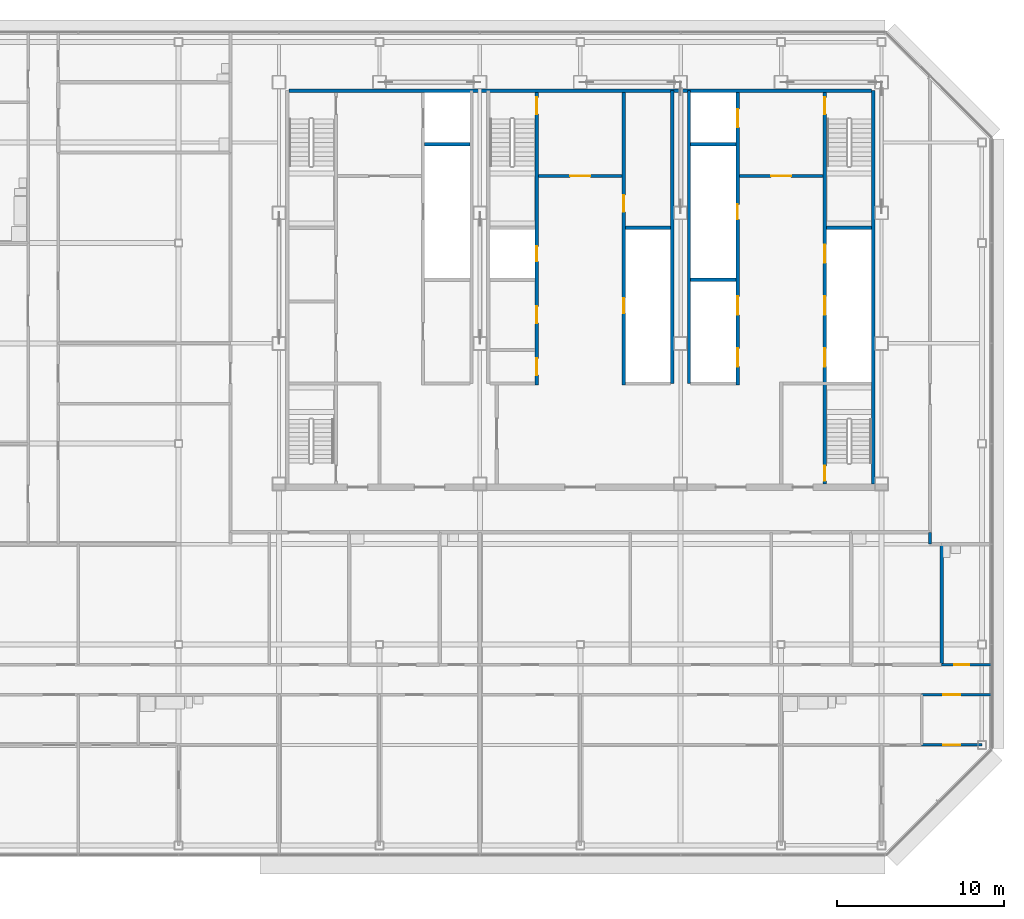
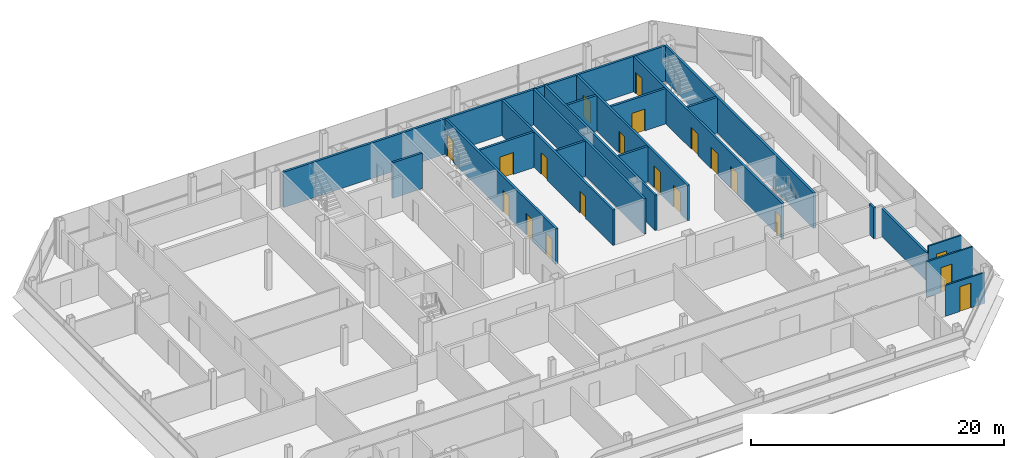
# One storey, part 24 of 27: 20 doors, 20 walls, 20 openings.
"""IFC4 building model written with IfcOpenShell, lengths in metres."""

from ifc_helpers import new_model, si_unit, direction, frame, frame_2d, origin, place, context, subcontext, project, spatial, rectangle, extrude, material, layer, layer_set, type_object, element, fill, save


model = new_model("IFC4")

# Units and contexts
model_context = context("Model", 3, precision=1e-05, world=origin(), true_north=direction((0.0, 1.0)))
body_context = subcontext(model_context, "Body", "Model", "MODEL_VIEW")
ifc_project = project(units=[si_unit("LENGTHUNIT", "METRE"), si_unit("AREAUNIT", "SQUARE_METRE"), si_unit("VOLUMEUNIT", "CUBIC_METRE"), si_unit("PLANEANGLEUNIT", "RADIAN"), si_unit("MASSUNIT", "GRAM", prefix="KILO")], contexts=[model_context])

# Site, building, storey
site_placement = place(None, origin())
site = spatial("IfcSite", under=ifc_project, at=site_placement, CompositionType="ELEMENT")
building_placement = place(site_placement, origin())
building = spatial("IfcBuilding", under=site, at=building_placement, Name="Sorahane Residences", CompositionType="ELEMENT")
storey_placement = place(building_placement, frame((0.0, 0.0, 316.0)))
storey = spatial("IfcBuildingStorey", under=building, at=storey_placement, Name="L75", CompositionType="ELEMENT", Elevation=316.0)

# Walls
ifc_material_1 = material(Name="Concrete C30", Category="concrete")
ifc_layer_1 = layer(ifc_material_1, 0.199951171875)
ifc_layer_set_1 = layer_set([ifc_layer_1], Name="Core face wall 200 EI 180")
wall_type_1 = type_object("IfcWallType", Name="Core face wall 200 EI 180", PredefinedType="SOLIDWALL", material=ifc_layer_set_1)
wall_1_placement = place(storey_placement, frame((41.5, 21.60009765625, 0.0), z_axis=(0.0, 0.0, 1.0), x_axis=(0.0, 1.0, 0.0)))
element("IfcWall", 1, at=wall_1_placement, inside=storey, type_object=wall_type_1, Name="L75 core face wall", PredefinedType="SOLIDWALL", context=body_context, shape_type="SweptSolid", body=[
    extrude(rectangle(XDim=23.5, YDim=0.199951171875, at=frame_2d((11.75, 0.0))), origin(), (0.0, 0.0, 1.0), 3.419921875),
])
wall_2_placement = place(storey_placement, frame((6.60009765625, 45.10009765625, 0.0), z_axis=(0.0, 0.0, 1.0), x_axis=(1.0, 0.0, 0.0)))
element("IfcWall", 2, at=wall_2_placement, inside=storey, type_object=wall_type_1, Name="L75 core face wall", PredefinedType="SOLIDWALL", context=body_context, shape_type="SweptSolid", body=[
    extrude(rectangle(XDim=34.7998046875, YDim=0.199951171875, at=frame_2d((17.39990234375, 0.0))), origin(), (0.0, 0.0, 1.0), 3.419921875),
])
for number, where, z_axis, x_axis, name in (
    (3, (29.5, 27.60009765625, 0.0), (0.0, 0.0, 1.0), (0.0, 1.0, 0.0), "L75 core face wall"),
    (4, (30.5, 27.60009765625, 0.0), (0.0, 0.0, 1.0), (0.0, 1.0, 0.0), "L75 core face wall"),
):
    element("IfcWall", number, at=place(storey_placement, frame(where, z_axis=z_axis, x_axis=x_axis)), inside=storey, type_object=wall_type_1, Name=name, PredefinedType="SOLIDWALL", context=body_context, shape_type="SweptSolid", body=[
        extrude(rectangle(XDim=17.5, YDim=0.199951171875, at=frame_2d((8.75, 0.0))), origin(), (0.0, 0.0, 1.0), 3.419921875),
    ])

# Wall, opening, door
ifc_material_2 = material(Name="Concrete C30", Category="concrete")
ifc_layer_2 = layer(ifc_material_2, 0.199951171875)
ifc_layer_set_2 = layer_set([ifc_layer_2], Name="Front room wall 200 EI 120")
wall_type_2 = type_object("IfcWallType", Name="Front room wall 200 EI 120", PredefinedType="PARTITIONING", material=ifc_layer_set_2)
wall_3_placement = place(storey_placement, frame((21.5, 40.0, 0.0), z_axis=(0.0, 0.0, 1.0), x_axis=(1.0, 0.0, 0.0)))
wall_3 = element("IfcWall", 5, at=wall_3_placement, inside=storey, type_object=wall_type_2, Name="L75 front room wall", PredefinedType="PARTITIONING", context=body_context, shape_type="SweptSolid", body=[
    extrude(rectangle(XDim=5.0, YDim=0.199951171875, at=frame_2d((2.5, 0.0))), origin(), (0.0, 0.0, 1.0), 3.419921875),
])
opening_1_placement = place(wall_3_placement, frame((1.89990234375, 0.0, 0.0)))
opening_1 = element("IfcOpeningElement", 6, at=opening_1_placement, cuts=wall_3, Name="Opening L75-C08", PredefinedType="OPENING", context=body_context, shape_type="SweptSolid", body=[
    extrude(rectangle(XDim=1.199951171875, YDim=2.10009765625, at=frame_2d((0.60009765625, 1.050048828125))), frame((0.0, 0.10986328125, 0.0), z_axis=(0.0, -1.0, 0.0), x_axis=(1.0, 0.0, 0.0)), (0.0, 0.0, 1.0), 0.219970703125),
])
ifc_material_3 = material(Name="Steel", Category="steel")
door_type_1 = type_object("IfcDoorType", Name="Front room door 1200x2100 FD120", OperationType="NOTDEFINED", PredefinedType="DOOR", material=ifc_material_3)
door_1_placement = place(opening_1_placement, frame((1.199951171875, 0.0, 0.0), z_axis=(0.0, 0.0, 1.0), x_axis=(-1.0, 0.0, 0.0)))
door_1 = element("IfcDoor", 7, at=door_1_placement, inside=storey, type_object=door_type_1, Name="Front room door Stair S3 vestibule L75", OperationType="DOUBLE_DOOR_SINGLE_SWING", OverallHeight=2.10009765625, OverallWidth=1.199951171875, PredefinedType="DOOR", context=body_context, shape_type="SweptSolid", body=[
    extrude(rectangle(XDim=1.199951171875, YDim=2.10009765625, at=frame_2d((0.60009765625, 1.050048828125))), frame((0.0, 0.02490234375, 0.0), z_axis=(0.0, -1.0, 0.0), x_axis=(1.0, 0.0, 0.0)), (0.0, 0.0, 1.0), 0.050048828125),
])
fill(opening_1, door_1)

wall_4_placement = place(storey_placement, frame((33.5, 40.0, 0.0), z_axis=(0.0, 0.0, 1.0), x_axis=(1.0, 0.0, 0.0)))
wall_4 = element("IfcWall", 8, at=wall_4_placement, inside=storey, type_object=wall_type_2, Name="L75 front room wall", PredefinedType="PARTITIONING", context=body_context, shape_type="SweptSolid", body=[
    extrude(rectangle(XDim=5.0, YDim=0.199951171875, at=frame_2d((2.5, 0.0))), origin(), (0.0, 0.0, 1.0), 3.419921875),
])
opening_2_placement = place(wall_4_placement, frame((1.89990234375, 0.0, 0.0)))
opening_2 = element("IfcOpeningElement", 9, at=opening_2_placement, cuts=wall_4, Name="Opening L75-C09", PredefinedType="OPENING", context=body_context, shape_type="SweptSolid", body=[
    extrude(rectangle(XDim=1.199951171875, YDim=2.10009765625, at=frame_2d((0.60009765625, 1.050048828125))), frame((0.0, 0.10986328125, 0.0), z_axis=(0.0, -1.0, 0.0), x_axis=(1.0, 0.0, 0.0)), (0.0, 0.0, 1.0), 0.219970703125),
])
door_2_placement = place(opening_2_placement, frame((1.199951171875, 0.0, 0.0), z_axis=(0.0, 0.0, 1.0), x_axis=(-1.0, 0.0, 0.0)))
door_2 = element("IfcDoor", 10, at=door_2_placement, inside=storey, type_object=door_type_1, Name="Front room door Firefighting lobby FF2 front room L75", OperationType="DOUBLE_DOOR_SINGLE_SWING", OverallHeight=2.10009765625, OverallWidth=1.199951171875, PredefinedType="DOOR", context=body_context, shape_type="SweptSolid", body=[
    extrude(rectangle(XDim=1.199951171875, YDim=2.10009765625, at=frame_2d((0.60009765625, 1.050048828125))), frame((0.0, 0.02490234375, 0.0), z_axis=(0.0, -1.0, 0.0), x_axis=(1.0, 0.0, 0.0)), (0.0, 0.0, 1.0), 0.050048828125),
])
fill(opening_2, door_2)

# Walls
ifc_material_4 = material(Name="Concrete blockwork C20 wall", Category="masonry")
ifc_layer_3 = layer(ifc_material_4, 0.199951171875)
ifc_layer_set_3 = layer_set([ifc_layer_3], Name="Kitchen wall 200 EI 180")
wall_type_3 = type_object("IfcWallType", Name="Kitchen wall 200 EI 180", PredefinedType="SOLIDWALL", material=ifc_layer_set_3)
wall_5_placement = place(storey_placement, frame((44.89990234375, 18.0, 0.0), z_axis=(0.0, 0.0, 1.0), x_axis=(0.0, 1.0, 0.0)))
element("IfcWall", 11, at=wall_5_placement, inside=storey, type_object=wall_type_3, Name="L75 kitchen wall", PredefinedType="SOLIDWALL", context=body_context, shape_type="SweptSolid", body=[
    extrude(rectangle(XDim=0.699951171875, YDim=0.199951171875, at=frame_2d((0.35009765625, 0.0))), origin(), (0.0, 0.0, 1.0), 2.969970703125),
])
wall_6_placement = place(storey_placement, frame((45.60009765625, 10.800048828125, 0.0), z_axis=(0.0, 0.0, 1.0), x_axis=(0.0, 1.0, 0.0)))
element("IfcWall", 12, at=wall_6_placement, inside=storey, type_object=wall_type_3, Name="L75 kitchen wall", PredefinedType="SOLIDWALL", context=body_context, shape_type="SweptSolid", body=[
    extrude(rectangle(XDim=7.199951171875, YDim=0.199951171875, at=frame_2d((3.60009765625, 0.0))), origin(), (0.0, 0.0, 1.0), 2.719970703125),
])

# Wall, openings, doors
ifc_material_5 = material(Name="Concrete C30", Category="concrete")
ifc_layer_4 = layer(ifc_material_5, 0.199951171875)
ifc_layer_set_4 = layer_set([ifc_layer_4], Name="Lift shaft wall 200 EI 120")
wall_type_4 = type_object("IfcWallType", Name="Lift shaft wall 200 EI 120", PredefinedType="SOLIDWALL", material=ifc_layer_set_4)
wall_7_placement = place(storey_placement, frame((33.39990234375, 27.5, 0.0), z_axis=(0.0, 0.0, 1.0), x_axis=(0.0, 1.0, 0.0)))
wall_7 = element("IfcWall", 13, at=wall_7_placement, inside=storey, type_object=wall_type_4, Name="L75 lift shaft wall", PredefinedType="SOLIDWALL", context=body_context, shape_type="SweptSolid", body=[
    extrude(rectangle(XDim=17.5, YDim=0.199951171875, at=frame_2d((8.75, 0.0))), origin(), (0.0, 0.0, 1.0), 3.419921875),
])
opening_3_placement = place(wall_7_placement, frame((1.10009765625, 0.0, 0.0)))
opening_3 = element("IfcOpeningElement", 14, at=opening_3_placement, cuts=wall_7, Name="Opening L75-C13", PredefinedType="OPENING", context=body_context, shape_type="SweptSolid", body=[
    extrude(rectangle(XDim=1.10009765625, YDim=2.10009765625, at=frame_2d((0.550048828125, 1.050048828125))), frame((0.0, 0.10986328125, 0.0), z_axis=(0.0, -1.0, 0.0), x_axis=(1.0, 0.0, 0.0)), (0.0, 0.0, 1.0), 0.219970703125),
])
opening_4_placement = place(wall_7_placement, frame((4.199951171875, 0.0, 0.0)))
opening_4 = element("IfcOpeningElement", 15, at=opening_4_placement, cuts=wall_7, Name="Opening L75-C14", PredefinedType="OPENING", context=body_context, shape_type="SweptSolid", body=[
    extrude(rectangle(XDim=1.10009765625, YDim=2.10009765625, at=frame_2d((0.550048828125, 1.050048828125))), frame((0.0, 0.10986328125, 0.0), z_axis=(0.0, -1.0, 0.0), x_axis=(1.0, 0.0, 0.0)), (0.0, 0.0, 1.0), 0.219970703125),
])
opening_5_placement = place(wall_7_placement, frame((15.39990234375, 0.0, 0.0)))
opening_5 = element("IfcOpeningElement", 16, at=opening_5_placement, cuts=wall_7, Name="Opening L75-C15", PredefinedType="OPENING", context=body_context, shape_type="SweptSolid", body=[
    extrude(rectangle(XDim=1.10009765625, YDim=2.10009765625, at=frame_2d((0.550048828125, 1.050048828125))), frame((0.0, 0.10986328125, 0.0), z_axis=(0.0, -1.0, 0.0), x_axis=(1.0, 0.0, 0.0)), (0.0, 0.0, 1.0), 0.219970703125),
])
opening_6_placement = place(wall_7_placement, frame((9.89990234375, 0.0, 0.0)))
opening_6 = element("IfcOpeningElement", 17, at=opening_6_placement, cuts=wall_7, Name="Opening L75-C28", PredefinedType="OPENING", context=body_context, shape_type="SweptSolid", body=[
    extrude(rectangle(XDim=0.89990234375, YDim=2.10009765625, at=frame_2d((0.449951171875, 1.050048828125))), frame((0.0, 0.10986328125, 0.0), z_axis=(0.0, -1.0, 0.0), x_axis=(1.0, 0.0, 0.0)), (0.0, 0.0, 1.0), 0.219970703125),
])
ifc_material_6 = material(Name="Aluminium and stainless steel", Category="steel")
door_type_2 = type_object("IfcDoorType", Name="Lift landing door 1100x2100 E 60", OperationType="NOTDEFINED", PredefinedType="DOOR", material=ifc_material_6)
door_3_placement = place(opening_3_placement, origin())
door_3 = element("IfcDoor", 18, at=door_3_placement, inside=storey, type_object=door_type_2, Name="Lift landing door HR4 L75", OperationType="DOUBLE_DOOR_SLIDING", OverallHeight=2.10009765625, OverallWidth=1.10009765625, PredefinedType="DOOR", context=body_context, shape_type="SweptSolid", body=[
    extrude(rectangle(XDim=1.10009765625, YDim=2.10009765625, at=frame_2d((0.550048828125, 1.050048828125))), frame((0.0, 0.02490234375, 0.0), z_axis=(0.0, -1.0, 0.0), x_axis=(1.0, 0.0, 0.0)), (0.0, 0.0, 1.0), 0.050048828125),
])
fill(opening_3, door_3)
door_4_placement = place(opening_4_placement, origin())
door_4 = element("IfcDoor", 19, at=door_4_placement, inside=storey, type_object=door_type_2, Name="Lift landing door HR5 L75", OperationType="DOUBLE_DOOR_SLIDING", OverallHeight=2.10009765625, OverallWidth=1.10009765625, PredefinedType="DOOR", context=body_context, shape_type="SweptSolid", body=[
    extrude(rectangle(XDim=1.10009765625, YDim=2.10009765625, at=frame_2d((0.550048828125, 1.050048828125))), frame((0.0, 0.02490234375, 0.0), z_axis=(0.0, -1.0, 0.0), x_axis=(1.0, 0.0, 0.0)), (0.0, 0.0, 1.0), 0.050048828125),
])
fill(opening_4, door_4)
door_5_placement = place(opening_5_placement, origin())
door_5 = element("IfcDoor", 20, at=door_5_placement, inside=storey, type_object=door_type_2, Name="Lift landing door FF2 L75", OperationType="DOUBLE_DOOR_SLIDING", OverallHeight=2.10009765625, OverallWidth=1.10009765625, PredefinedType="DOOR", context=body_context, shape_type="SweptSolid", body=[
    extrude(rectangle(XDim=1.10009765625, YDim=2.10009765625, at=frame_2d((0.550048828125, 1.050048828125))), frame((0.0, 0.02490234375, 0.0), z_axis=(0.0, -1.0, 0.0), x_axis=(1.0, 0.0, 0.0)), (0.0, 0.0, 1.0), 0.050048828125),
])
fill(opening_5, door_5)
ifc_material_7 = material(Name="Steel", Category="steel")
door_type_3 = type_object("IfcDoorType", Name="Riser door 900x2100 FD120", OperationType="NOTDEFINED", PredefinedType="DOOR", material=ifc_material_7)
door_6_placement = place(opening_6_placement, frame((0.89990234375, 0.0, 0.0), z_axis=(0.0, 0.0, 1.0), x_axis=(-1.0, 0.0, 0.0)))
door_6 = element("IfcDoor", 21, at=door_6_placement, inside=storey, type_object=door_type_3, Name="Riser door R2 L75", OperationType="SINGLE_SWING_LEFT", OverallHeight=2.10009765625, OverallWidth=0.89990234375, PredefinedType="DOOR", context=body_context, shape_type="SweptSolid", body=[
    extrude(rectangle(XDim=0.89990234375, YDim=2.10009765625, at=frame_2d((0.449951171875, 1.050048828125))), frame((0.0, 0.02490234375, 0.0), z_axis=(0.0, -1.0, 0.0), x_axis=(1.0, 0.0, 0.0)), (0.0, 0.0, 1.0), 0.050048828125),
])
fill(opening_6, door_6)

# Walls
for number, where, z_axis, x_axis, name in (
    (22, (30.60009765625, 33.800048828125, 0.0), (0.0, 0.0, 1.0), (1.0, 0.0, 0.0), "L75 lift shaft wall"),
    (23, (14.699951171875, 41.89990234375, 0.0), (0.0, 0.0, 1.0), (1.0, 0.0, 0.0), "L75 lift shaft wall"),
    (24, (30.60009765625, 41.89990234375, 0.0), (0.0, 0.0, 1.0), (1.0, 0.0, 0.0), "L75 lift shaft wall"),
):
    element("IfcWall", number, at=place(storey_placement, frame(where, z_axis=z_axis, x_axis=x_axis)), inside=storey, type_object=wall_type_4, Name=name, PredefinedType="SOLIDWALL", context=body_context, shape_type="SweptSolid", body=[
        extrude(rectangle(XDim=2.699951171875, YDim=0.199951171875, at=frame_2d((1.35009765625, 0.0))), origin(), (0.0, 0.0, 1.0), 3.419921875),
    ])

# Wall, opening, door
ifc_material_8 = material(Name="Gypsum board partition on steel studs", Category="steel")
ifc_layer_5 = layer(ifc_material_8, 0.14990234375)
ifc_layer_set_5 = layer_set([ifc_layer_5], Name="Partition 150 EI 90")
wall_type_5 = type_object("IfcWallType", Name="Partition 150 EI 90", PredefinedType="PARTITIONING", material=ifc_layer_set_5)
wall_8_placement = place(storey_placement, frame((44.39990234375, 6.0, 0.0), z_axis=(0.0, 0.0, 1.0), x_axis=(1.0, 0.0, 0.0)))
wall_8 = element("IfcWall", 25, at=wall_8_placement, inside=storey, type_object=wall_type_5, Name="L75 partition", PredefinedType="PARTITIONING", context=body_context, shape_type="SweptSolid", body=[
    extrude(rectangle(XDim=3.60009765625, YDim=0.14990234375, at=frame_2d((1.800048828125, 0.0))), origin(), (0.0, 0.0, 1.0), 2.969970703125),
])
opening_7_placement = place(wall_8_placement, frame((1.300048828125, 0.0, 0.0)))
opening_7 = element("IfcOpeningElement", 26, at=opening_7_placement, cuts=wall_8, Name="Opening L75-23", PredefinedType="OPENING", context=body_context, shape_type="SweptSolid", body=[
    extrude(rectangle(XDim=1.0, YDim=2.39990234375, at=frame_2d((0.5, 1.199951171875))), frame((0.0, 0.0849609375, 0.0), z_axis=(0.0, -1.0, 0.0), x_axis=(1.0, 0.0, 0.0)), (0.0, 0.0, 1.0), 0.169921875),
])
ifc_material_9 = material(Name="Timber veneered fire door", Category="wood")
door_type_4 = type_object("IfcDoorType", Name="Room door 1000x2400 FD30", OperationType="NOTDEFINED", PredefinedType="DOOR", material=ifc_material_9)
door_7_placement = place(opening_7_placement, frame((1.0, 0.0, 0.0), z_axis=(0.0, 0.0, 1.0), x_axis=(-1.0, 0.0, 0.0)))
door_7 = element("IfcDoor", 27, at=door_7_placement, inside=storey, type_object=door_type_4, Name="Room door L75-23", OperationType="SINGLE_SWING_LEFT", OverallHeight=2.39990234375, OverallWidth=1.0, PredefinedType="DOOR", context=body_context, shape_type="SweptSolid", body=[
    extrude(rectangle(XDim=1.0, YDim=2.39990234375, at=frame_2d((0.5, 1.199951171875))), frame((0.0, 0.02490234375, 0.0), z_axis=(0.0, -1.0, 0.0), x_axis=(1.0, 0.0, 0.0)), (0.0, 0.0, 1.0), 0.050048828125),
])
fill(opening_7, door_7)

wall_9_placement = place(storey_placement, frame((44.39990234375, 9.0, 0.0), z_axis=(0.0, 0.0, 1.0), x_axis=(1.0, 0.0, 0.0)))
wall_9 = element("IfcWall", 28, at=wall_9_placement, inside=storey, type_object=wall_type_5, Name="L75 partition", PredefinedType="PARTITIONING", context=body_context, shape_type="SweptSolid", body=[
    extrude(rectangle(XDim=4.2001953125, YDim=0.14990234375, at=frame_2d((2.10009765625, 0.0))), origin(), (0.0, 0.0, 1.0), 3.419921875),
])
opening_8_placement = place(wall_9_placement, frame((1.300048828125, 0.0, 0.0)))
opening_8 = element("IfcOpeningElement", 29, at=opening_8_placement, cuts=wall_9, Name="Opening L75-21", PredefinedType="OPENING", context=body_context, shape_type="SweptSolid", body=[
    extrude(rectangle(XDim=1.0, YDim=2.39990234375, at=frame_2d((0.5, 1.199951171875))), frame((0.0, 0.0849609375, 0.0), z_axis=(0.0, -1.0, 0.0), x_axis=(1.0, 0.0, 0.0)), (0.0, 0.0, 1.0), 0.169921875),
])
door_8_placement = place(opening_8_placement, frame((1.0, 0.0, 0.0), z_axis=(0.0, 0.0, 1.0), x_axis=(-1.0, 0.0, 0.0)))
door_8 = element("IfcDoor", 30, at=door_8_placement, inside=storey, type_object=door_type_4, Name="Room door L75-21", OperationType="SINGLE_SWING_RIGHT", OverallHeight=2.39990234375, OverallWidth=1.0, PredefinedType="DOOR", context=body_context, shape_type="SweptSolid", body=[
    extrude(rectangle(XDim=1.0, YDim=2.39990234375, at=frame_2d((0.5, 1.199951171875))), frame((0.0, 0.02490234375, 0.0), z_axis=(0.0, -1.0, 0.0), x_axis=(1.0, 0.0, 0.0)), (0.0, 0.0, 1.0), 0.050048828125),
])
fill(opening_8, door_8)

# Wall, openings, doors
ifc_material_10 = material(Name="Concrete C30", Category="concrete")
ifc_layer_6 = layer(ifc_material_10, 0.199951171875)
ifc_layer_set_6 = layer_set([ifc_layer_6], Name="Riser shaft wall 200 EI 120")
wall_type_6 = type_object("IfcWallType", Name="Riser shaft wall 200 EI 120", PredefinedType="SOLIDWALL", material=ifc_layer_set_6)
wall_10_placement = place(storey_placement, frame((26.60009765625, 27.5, 0.0), z_axis=(0.0, 0.0, 1.0), x_axis=(0.0, 1.0, 0.0)))
wall_10 = element("IfcWall", 31, at=wall_10_placement, inside=storey, type_object=wall_type_6, Name="L75 riser wall", PredefinedType="SOLIDWALL", context=body_context, shape_type="SweptSolid", body=[
    extrude(rectangle(XDim=17.5, YDim=0.199951171875, at=frame_2d((8.75, 0.0))), origin(), (0.0, 0.0, 1.0), 3.419921875),
])
opening_9_placement = place(wall_10_placement, frame((4.300048828125, 0.0, 0.0)))
opening_9 = element("IfcOpeningElement", 32, at=opening_9_placement, cuts=wall_10, Name="Opening L75-C30", PredefinedType="OPENING", context=body_context, shape_type="SweptSolid", body=[
    extrude(rectangle(XDim=0.89990234375, YDim=2.10009765625, at=frame_2d((0.449951171875, 1.050048828125))), frame((0.0, 0.10986328125, 0.0), z_axis=(0.0, -1.0, 0.0), x_axis=(1.0, 0.0, 0.0)), (0.0, 0.0, 1.0), 0.219970703125),
])
opening_10_placement = place(wall_10_placement, frame((10.35009765625, 0.0, 0.0)))
opening_10 = element("IfcOpeningElement", 33, at=opening_10_placement, cuts=wall_10, Name="Opening L75-C31", PredefinedType="OPENING", context=body_context, shape_type="SweptSolid", body=[
    extrude(rectangle(XDim=1.0, YDim=2.10009765625, at=frame_2d((0.5, 1.050048828125))), frame((0.0, 0.10986328125, 0.0), z_axis=(0.0, -1.0, 0.0), x_axis=(1.0, 0.0, 0.0)), (0.0, 0.0, 1.0), 0.219970703125),
])
door_9_placement = place(opening_9_placement, origin())
door_9 = element("IfcDoor", 34, at=door_9_placement, inside=storey, type_object=door_type_3, Name="Riser door R4 L75", OperationType="SINGLE_SWING_LEFT", OverallHeight=2.10009765625, OverallWidth=0.89990234375, PredefinedType="DOOR", context=body_context, shape_type="SweptSolid", body=[
    extrude(rectangle(XDim=0.89990234375, YDim=2.10009765625, at=frame_2d((0.449951171875, 1.050048828125))), frame((0.0, 0.02490234375, 0.0), z_axis=(0.0, -1.0, 0.0), x_axis=(1.0, 0.0, 0.0)), (0.0, 0.0, 1.0), 0.050048828125),
])
fill(opening_9, door_9)
ifc_material_11 = material(Name="Steel", Category="steel")
door_type_5 = type_object("IfcDoorType", Name="Service room door 1000x2100 FD60", OperationType="NOTDEFINED", PredefinedType="DOOR", material=ifc_material_11)
door_10_placement = place(opening_10_placement, frame((1.0, 0.0, 0.0), z_axis=(0.0, 0.0, 1.0), x_axis=(-1.0, 0.0, 0.0)))
door_10 = element("IfcDoor", 35, at=door_10_placement, inside=storey, type_object=door_type_5, Name="Service room door Housekeeping store L75", OperationType="SINGLE_SWING_LEFT", OverallHeight=2.10009765625, OverallWidth=1.0, PredefinedType="DOOR", context=body_context, shape_type="SweptSolid", body=[
    extrude(rectangle(XDim=1.0, YDim=2.10009765625, at=frame_2d((0.5, 1.050048828125))), frame((0.0, 0.02490234375, 0.0), z_axis=(0.0, -1.0, 0.0), x_axis=(1.0, 0.0, 0.0)), (0.0, 0.0, 1.0), 0.050048828125),
])
fill(opening_10, door_10)

# Wall
wall_11_placement = place(storey_placement, frame((26.699951171875, 36.89990234375, 0.0), z_axis=(0.0, 0.0, 1.0), x_axis=(1.0, 0.0, 0.0)))
element("IfcWall", 36, at=wall_11_placement, inside=storey, type_object=wall_type_6, Name="L75 riser wall", PredefinedType="SOLIDWALL", context=body_context, shape_type="SweptSolid", body=[
    extrude(rectangle(XDim=2.699951171875, YDim=0.199951171875, at=frame_2d((1.35009765625, 0.0))), origin(), (0.0, 0.0, 1.0), 3.419921875),
])

# Wall, openings, doors
ifc_material_12 = material(Name="Concrete C30", Category="concrete")
ifc_layer_7 = layer(ifc_material_12, 0.199951171875)
ifc_layer_set_7 = layer_set([ifc_layer_7], Name="Stair enclosure wall 200 EI 120")
wall_type_7 = type_object("IfcWallType", Name="Stair enclosure wall 200 EI 120", PredefinedType="SOLIDWALL", material=ifc_layer_set_7)
wall_12_placement = place(storey_placement, frame((21.39990234375, 27.5, 0.0), z_axis=(0.0, 0.0, 1.0), x_axis=(0.0, 1.0, 0.0)))
wall_12 = element("IfcWall", 37, at=wall_12_placement, inside=storey, type_object=wall_type_7, Name="L75 stair enclosure wall", PredefinedType="SOLIDWALL", context=body_context, shape_type="SweptSolid", body=[
    extrude(rectangle(XDim=17.5, YDim=0.199951171875, at=frame_2d((8.75, 0.0))), origin(), (0.0, 0.0, 1.0), 3.419921875),
])
opening_11_placement = place(wall_12_placement, frame((0.60009765625, 0.0, 0.0)))
opening_11 = element("IfcOpeningElement", 38, at=opening_11_placement, cuts=wall_12, Name="Opening L75-C17", PredefinedType="OPENING", context=body_context, shape_type="SweptSolid", body=[
    extrude(rectangle(XDim=1.0, YDim=2.10009765625, at=frame_2d((0.5, 1.050048828125))), frame((0.0, 0.10986328125, 0.0), z_axis=(0.0, -1.0, 0.0), x_axis=(1.0, 0.0, 0.0)), (0.0, 0.0, 1.0), 0.219970703125),
])
opening_12_placement = place(wall_12_placement, frame((3.699951171875, 0.0, 0.0)))
opening_12 = element("IfcOpeningElement", 39, at=opening_12_placement, cuts=wall_12, Name="Opening L75-C18", PredefinedType="OPENING", context=body_context, shape_type="SweptSolid", body=[
    extrude(rectangle(XDim=1.0, YDim=2.10009765625, at=frame_2d((0.5, 1.050048828125))), frame((0.0, 0.10986328125, 0.0), z_axis=(0.0, -1.0, 0.0), x_axis=(1.0, 0.0, 0.0)), (0.0, 0.0, 1.0), 0.219970703125),
])
opening_13_placement = place(wall_12_placement, frame((16.199951171875, 0.0, 0.0)))
opening_13 = element("IfcOpeningElement", 40, at=opening_13_placement, cuts=wall_12, Name="Opening L75-C24", PredefinedType="OPENING", context=body_context, shape_type="SweptSolid", body=[
    extrude(rectangle(XDim=1.0, YDim=2.10009765625, at=frame_2d((0.5, 1.050048828125))), frame((0.0, 0.10986328125, 0.0), z_axis=(0.0, -1.0, 0.0), x_axis=(1.0, 0.0, 0.0)), (0.0, 0.0, 1.0), 0.219970703125),
])
opening_14_placement = place(wall_12_placement, frame((7.39990234375, 0.0, 0.0)))
opening_14 = element("IfcOpeningElement", 41, at=opening_14_placement, cuts=wall_12, Name="Opening L75-C29", PredefinedType="OPENING", context=body_context, shape_type="SweptSolid", body=[
    extrude(rectangle(XDim=0.89990234375, YDim=2.10009765625, at=frame_2d((0.449951171875, 1.050048828125))), frame((0.0, 0.10986328125, 0.0), z_axis=(0.0, -1.0, 0.0), x_axis=(1.0, 0.0, 0.0)), (0.0, 0.0, 1.0), 0.219970703125),
])
door_11_placement = place(opening_14_placement, frame((0.89990234375, 0.0, 0.0), z_axis=(0.0, 0.0, 1.0), x_axis=(-1.0, 0.0, 0.0)))
door_11 = element("IfcDoor", 42, at=door_11_placement, inside=storey, type_object=door_type_3, Name="Riser door R3 L75", OperationType="SINGLE_SWING_LEFT", OverallHeight=2.10009765625, OverallWidth=0.89990234375, PredefinedType="DOOR", context=body_context, shape_type="SweptSolid", body=[
    extrude(rectangle(XDim=0.89990234375, YDim=2.10009765625, at=frame_2d((0.449951171875, 1.050048828125))), frame((0.0, 0.02490234375, 0.0), z_axis=(0.0, -1.0, 0.0), x_axis=(1.0, 0.0, 0.0)), (0.0, 0.0, 1.0), 0.050048828125),
])
fill(opening_14, door_11)
door_12_placement = place(opening_11_placement, origin())
door_12 = element("IfcDoor", 43, at=door_12_placement, inside=storey, type_object=door_type_5, Name="Service room door Guest suite store L75", OperationType="SINGLE_SWING_LEFT", OverallHeight=2.10009765625, OverallWidth=1.0, PredefinedType="DOOR", context=body_context, shape_type="SweptSolid", body=[
    extrude(rectangle(XDim=1.0, YDim=2.10009765625, at=frame_2d((0.5, 1.050048828125))), frame((0.0, 0.02490234375, 0.0), z_axis=(0.0, -1.0, 0.0), x_axis=(1.0, 0.0, 0.0)), (0.0, 0.0, 1.0), 0.050048828125),
])
fill(opening_11, door_12)
door_13_placement = place(opening_12_placement, origin())
door_13 = element("IfcDoor", 44, at=door_13_placement, inside=storey, type_object=door_type_5, Name="Service room door Meeting room L75", OperationType="SINGLE_SWING_RIGHT", OverallHeight=2.10009765625, OverallWidth=1.0, PredefinedType="DOOR", context=body_context, shape_type="SweptSolid", body=[
    extrude(rectangle(XDim=1.0, YDim=2.10009765625, at=frame_2d((0.5, 1.050048828125))), frame((0.0, 0.02490234375, 0.0), z_axis=(0.0, -1.0, 0.0), x_axis=(1.0, 0.0, 0.0)), (0.0, 0.0, 1.0), 0.050048828125),
])
fill(opening_12, door_13)
ifc_material_13 = material(Name="Steel", Category="steel")
door_type_6 = type_object("IfcDoorType", Name="Stair door 1000x2100 FD120", OperationType="NOTDEFINED", PredefinedType="DOOR", material=ifc_material_13)
door_14_placement = place(opening_13_placement, origin())
door_14 = element("IfcDoor", 45, at=door_14_placement, inside=storey, type_object=door_type_6, Name="Stair door S3 L75", OperationType="SINGLE_SWING_LEFT", OverallHeight=2.10009765625, OverallWidth=1.0, PredefinedType="DOOR", context=body_context, shape_type="SweptSolid", body=[
    extrude(rectangle(XDim=1.0, YDim=2.10009765625, at=frame_2d((0.5, 1.050048828125))), frame((0.0, 0.02490234375, 0.0), z_axis=(0.0, -1.0, 0.0), x_axis=(1.0, 0.0, 0.0)), (0.0, 0.0, 1.0), 0.050048828125),
])
fill(opening_13, door_14)

wall_13_placement = place(storey_placement, frame((38.60009765625, 21.60009765625, 0.0), z_axis=(0.0, 0.0, 1.0), x_axis=(0.0, 1.0, 0.0)))
wall_13 = element("IfcWall", 46, at=wall_13_placement, inside=storey, type_object=wall_type_7, Name="L75 stair enclosure wall", PredefinedType="SOLIDWALL", context=body_context, shape_type="SweptSolid", body=[
    extrude(rectangle(XDim=23.39990234375, YDim=0.199951171875, at=frame_2d((11.699951171875, 0.0))), origin(), (0.0, 0.0, 1.0), 3.419921875),
])
opening_15_placement = place(wall_13_placement, frame((7.0, 0.0, 0.0)))
opening_15 = element("IfcOpeningElement", 47, at=opening_15_placement, cuts=wall_13, Name="Opening L75-C10", PredefinedType="OPENING", context=body_context, shape_type="SweptSolid", body=[
    extrude(rectangle(XDim=1.10009765625, YDim=2.10009765625, at=frame_2d((0.550048828125, 1.050048828125))), frame((0.0, 0.10986328125, 0.0), z_axis=(0.0, -1.0, 0.0), x_axis=(1.0, 0.0, 0.0)), (0.0, 0.0, 1.0), 0.219970703125),
])
opening_16_placement = place(wall_13_placement, frame((10.10009765625, 0.0, 0.0)))
opening_16 = element("IfcOpeningElement", 48, at=opening_16_placement, cuts=wall_13, Name="Opening L75-C11", PredefinedType="OPENING", context=body_context, shape_type="SweptSolid", body=[
    extrude(rectangle(XDim=1.10009765625, YDim=2.10009765625, at=frame_2d((0.550048828125, 1.050048828125))), frame((0.0, 0.10986328125, 0.0), z_axis=(0.0, -1.0, 0.0), x_axis=(1.0, 0.0, 0.0)), (0.0, 0.0, 1.0), 0.219970703125),
])
opening_17_placement = place(wall_13_placement, frame((13.199951171875, 0.0, 0.0)))
opening_17 = element("IfcOpeningElement", 49, at=opening_17_placement, cuts=wall_13, Name="Opening L75-C12", PredefinedType="OPENING", context=body_context, shape_type="SweptSolid", body=[
    extrude(rectangle(XDim=1.10009765625, YDim=2.10009765625, at=frame_2d((0.550048828125, 1.050048828125))), frame((0.0, 0.10986328125, 0.0), z_axis=(0.0, -1.0, 0.0), x_axis=(1.0, 0.0, 0.0)), (0.0, 0.0, 1.0), 0.219970703125),
])
opening_18_placement = place(wall_13_placement, frame((22.10009765625, 0.0, 0.0)))
opening_18 = element("IfcOpeningElement", 50, at=opening_18_placement, cuts=wall_13, Name="Opening L75-C23", PredefinedType="OPENING", context=body_context, shape_type="SweptSolid", body=[
    extrude(rectangle(XDim=1.0, YDim=2.10009765625, at=frame_2d((0.5, 1.050048828125))), frame((0.0, 0.10986328125, 0.0), z_axis=(0.0, -1.0, 0.0), x_axis=(1.0, 0.0, 0.0)), (0.0, 0.0, 1.0), 0.219970703125),
])
opening_19_placement = place(wall_13_placement, frame((0.175048828125, 0.0, 0.0)))
opening_19 = element("IfcOpeningElement", 51, at=opening_19_placement, cuts=wall_13, Name="Opening L75-C26", PredefinedType="OPENING", context=body_context, shape_type="SweptSolid", body=[
    extrude(rectangle(XDim=0.89990234375, YDim=2.10009765625, at=frame_2d((0.449951171875, 1.050048828125))), frame((0.0, 0.10986328125, 0.0), z_axis=(0.0, -1.0, 0.0), x_axis=(1.0, 0.0, 0.0)), (0.0, 0.0, 1.0), 0.219970703125),
])
door_15_placement = place(opening_15_placement, origin())
door_15 = element("IfcDoor", 52, at=door_15_placement, inside=storey, type_object=door_type_2, Name="Lift landing door HR1 L75", OperationType="DOUBLE_DOOR_SLIDING", OverallHeight=2.10009765625, OverallWidth=1.10009765625, PredefinedType="DOOR", context=body_context, shape_type="SweptSolid", body=[
    extrude(rectangle(XDim=1.10009765625, YDim=2.10009765625, at=frame_2d((0.550048828125, 1.050048828125))), frame((0.0, 0.02490234375, 0.0), z_axis=(0.0, -1.0, 0.0), x_axis=(1.0, 0.0, 0.0)), (0.0, 0.0, 1.0), 0.050048828125),
])
fill(opening_15, door_15)
door_16_placement = place(opening_16_placement, origin())
door_16 = element("IfcDoor", 53, at=door_16_placement, inside=storey, type_object=door_type_2, Name="Lift landing door HR2 L75", OperationType="DOUBLE_DOOR_SLIDING", OverallHeight=2.10009765625, OverallWidth=1.10009765625, PredefinedType="DOOR", context=body_context, shape_type="SweptSolid", body=[
    extrude(rectangle(XDim=1.10009765625, YDim=2.10009765625, at=frame_2d((0.550048828125, 1.050048828125))), frame((0.0, 0.02490234375, 0.0), z_axis=(0.0, -1.0, 0.0), x_axis=(1.0, 0.0, 0.0)), (0.0, 0.0, 1.0), 0.050048828125),
])
fill(opening_16, door_16)
door_17_placement = place(opening_17_placement, origin())
door_17 = element("IfcDoor", 54, at=door_17_placement, inside=storey, type_object=door_type_2, Name="Lift landing door HR3 L75", OperationType="DOUBLE_DOOR_SLIDING", OverallHeight=2.10009765625, OverallWidth=1.10009765625, PredefinedType="DOOR", context=body_context, shape_type="SweptSolid", body=[
    extrude(rectangle(XDim=1.10009765625, YDim=2.10009765625, at=frame_2d((0.550048828125, 1.050048828125))), frame((0.0, 0.02490234375, 0.0), z_axis=(0.0, -1.0, 0.0), x_axis=(1.0, 0.0, 0.0)), (0.0, 0.0, 1.0), 0.050048828125),
])
fill(opening_17, door_17)
door_18_placement = place(opening_18_placement, frame((1.0, 0.0, 0.0), z_axis=(0.0, 0.0, 1.0), x_axis=(-1.0, 0.0, 0.0)))
door_18 = element("IfcDoor", 55, at=door_18_placement, inside=storey, type_object=door_type_6, Name="Stair door S2 L75", OperationType="SINGLE_SWING_LEFT", OverallHeight=2.10009765625, OverallWidth=1.0, PredefinedType="DOOR", context=body_context, shape_type="SweptSolid", body=[
    extrude(rectangle(XDim=1.0, YDim=2.10009765625, at=frame_2d((0.5, 1.050048828125))), frame((0.0, 0.02490234375, 0.0), z_axis=(0.0, -1.0, 0.0), x_axis=(1.0, 0.0, 0.0)), (0.0, 0.0, 1.0), 0.050048828125),
])
fill(opening_18, door_18)
ifc_material_14 = material(Name="Steel", Category="steel")
door_type_7 = type_object("IfcDoorType", Name="Stair door 900x2100 FD120", OperationType="NOTDEFINED", PredefinedType="DOOR", material=ifc_material_14)
door_19_placement = place(opening_19_placement, frame((0.89990234375, 0.0, 0.0), z_axis=(0.0, 0.0, 1.0), x_axis=(-1.0, 0.0, 0.0)))
door_19 = element("IfcDoor", 56, at=door_19_placement, inside=storey, type_object=door_type_7, Name="Stair door S5 L75", OperationType="SINGLE_SWING_LEFT", OverallHeight=2.10009765625, OverallWidth=0.89990234375, PredefinedType="DOOR", context=body_context, shape_type="SweptSolid", body=[
    extrude(rectangle(XDim=0.89990234375, YDim=2.10009765625, at=frame_2d((0.449951171875, 1.050048828125))), frame((0.0, 0.02490234375, 0.0), z_axis=(0.0, -1.0, 0.0), x_axis=(1.0, 0.0, 0.0)), (0.0, 0.0, 1.0), 0.050048828125),
])
fill(opening_19, door_19)

# Wall
wall_14_placement = place(storey_placement, frame((38.699951171875, 36.89990234375, 0.0), z_axis=(0.0, 0.0, 1.0), x_axis=(1.0, 0.0, 0.0)))
element("IfcWall", 57, at=wall_14_placement, inside=storey, type_object=wall_type_7, Name="L75 stair enclosure wall", PredefinedType="SOLIDWALL", context=body_context, shape_type="SweptSolid", body=[
    extrude(rectangle(XDim=2.699951171875, YDim=0.199951171875, at=frame_2d((1.35009765625, 0.0))), origin(), (0.0, 0.0, 1.0), 3.419921875),
])

# Wall, opening, door
ifc_material_15 = material(Name="Gypsum board partition on steel studs", Category="steel")
ifc_layer_8 = layer(ifc_material_15, 0.14990234375)
ifc_layer_set_8 = layer_set([ifc_layer_8], Name="Wet wall 150 EI 90")
wall_type_8 = type_object("IfcWallType", Name="Wet wall 150 EI 90", PredefinedType="PARTITIONING", material=ifc_layer_set_8)
wall_15_placement = place(storey_placement, frame((45.60009765625, 10.800048828125, 0.0), z_axis=(0.0, 0.0, 1.0), x_axis=(1.0, 0.0, 0.0)))
wall_15 = element("IfcWall", 58, at=wall_15_placement, inside=storey, type_object=wall_type_8, Name="L75 wet wall", PredefinedType="PARTITIONING", context=body_context, shape_type="SweptSolid", body=[
    extrude(rectangle(XDim=3.0, YDim=0.14990234375, at=frame_2d((1.5, 0.0))), origin(), (0.0, 0.0, 1.0), 3.419921875),
])
opening_20_placement = place(wall_15_placement, frame((0.75, 0.0, 0.0)))
opening_20 = element("IfcOpeningElement", 59, at=opening_20_placement, cuts=wall_15, Name="Opening L75-18", PredefinedType="OPENING", context=body_context, shape_type="SweptSolid", body=[
    extrude(rectangle(XDim=0.89990234375, YDim=2.39990234375, at=frame_2d((0.449951171875, 1.199951171875))), frame((0.0, 0.0849609375, 0.0), z_axis=(0.0, -1.0, 0.0), x_axis=(1.0, 0.0, 0.0)), (0.0, 0.0, 1.0), 0.169921875),
])
ifc_material_16 = material(Name="Timber veneered fire door", Category="wood")
door_type_8 = type_object("IfcDoorType", Name="Bathroom door 900x2400 FD30", OperationType="NOTDEFINED", PredefinedType="DOOR", material=ifc_material_16)
door_20_placement = place(opening_20_placement, frame((0.89990234375, 0.0, 0.0), z_axis=(0.0, 0.0, 1.0), x_axis=(-1.0, 0.0, 0.0)))
door_20 = element("IfcDoor", 60, at=door_20_placement, inside=storey, type_object=door_type_8, Name="Bathroom door L75-18", OperationType="SINGLE_SWING_LEFT", OverallHeight=2.39990234375, OverallWidth=0.89990234375, PredefinedType="DOOR", context=body_context, shape_type="SweptSolid", body=[
    extrude(rectangle(XDim=0.89990234375, YDim=2.39990234375, at=frame_2d((0.449951171875, 1.199951171875))), frame((0.0, 0.02490234375, 0.0), z_axis=(0.0, -1.0, 0.0), x_axis=(1.0, 0.0, 0.0)), (0.0, 0.0, 1.0), 0.050048828125),
])
fill(opening_20, door_20)

save(model, "model.ifc")
